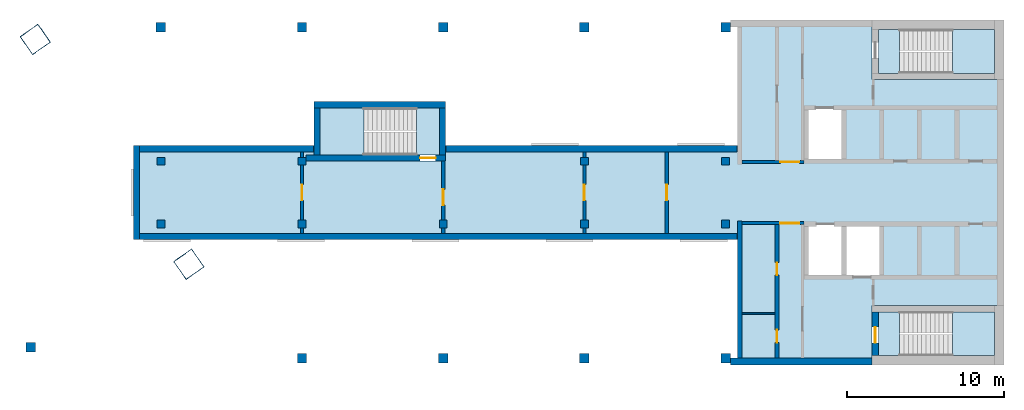
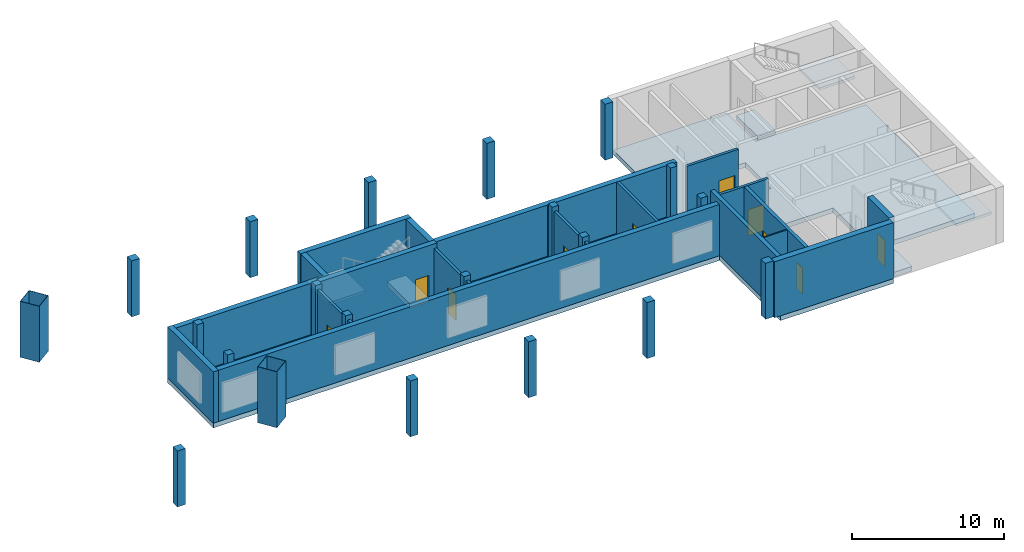
# One storey, part 1 of 4: 21 columns, 19 walls, 10 doors, 7 slabs, 10 openings, 3 elements without a shape of their own.
"""IFC4 building model written with IfcOpenShell, lengths in metres."""

from ifc_helpers import new_model, si_unit, direction, frame, frame_2d, origin, origin_2d, place, context, subcontext, project, spatial, polyline, rectangle, hollow_rectangle, outline, extrude, material, layer, layer_set, material_profile, profile_set, type_object, element, fill, aggregate, save


model = new_model("IFC4")

# Units and contexts
model_context = context("Model", 3, precision=1e-05, world=origin(), true_north=direction((0.0, 1.0)))
body_context = subcontext(model_context, "Body", "Model", "MODEL_VIEW")
ifc_project = project(units=[si_unit("LENGTHUNIT", "METRE"), si_unit("AREAUNIT", "SQUARE_METRE"), si_unit("VOLUMEUNIT", "CUBIC_METRE"), si_unit("PLANEANGLEUNIT", "RADIAN"), si_unit("MASSUNIT", "GRAM", prefix="KILO")], contexts=[model_context])

# Site, building, storey
site_placement = place(None, origin())
site = spatial("IfcSite", under=ifc_project, at=site_placement, CompositionType="ELEMENT")
building_placement = place(site_placement, origin())
building = spatial("IfcBuilding", under=site, at=building_placement, Name="Skarvind Civic Tower", CompositionType="ELEMENT")
storey_placement = place(building_placement, frame((0.0, 0.0, 286.5)))
storey = spatial("IfcBuildingStorey", under=building, at=storey_placement, Name="L68", CompositionType="ELEMENT", Elevation=286.5)

# Columns
ifc_material_1 = material(Name="Concrete C60", Category="concrete")
ifc_material_profile_1 = material_profile(ifc_material_1, rectangle(XDim=0.5, YDim=0.5, at=origin_2d()), Name="RC-500x500")
ifc_profile_set_1 = profile_set([ifc_material_profile_1], Name="Concrete C60")
column_type_1 = type_object("IfcColumnType", Name="Column RC-500x500 C60", PredefinedType="COLUMN", material=ifc_profile_set_1)
for number, where, z_axis, x_axis, name in (
    (1, (54.25, 130.0, 0.0), (0.0, 0.0, 1.0), (1.0, 0.0, 0.0), "Column wing 1 north inner 02 L68"),
    (2, (63.25, 130.0, 0.0), (0.0, 0.0, 1.0), (1.0, 0.0, 0.0), "Column wing 1 north inner 03 L68"),
    (3, (81.25, 130.0, 0.0), (0.0, 0.0, 1.0), (1.0, 0.0, 0.0), "Column wing 1 north inner 05 L68"),
    (4, (90.25, 130.0, 0.0), (0.0, 0.0, 1.0), (1.0, 0.0, 0.0), "Column wing 1 north inner 06 L68"),
    (5, (54.25, 126.0, 0.0), (0.0, 0.0, 1.0), (1.0, 0.0, 0.0), "Column wing 1 south inner 02 L68"),
    (6, (63.25, 126.0, 0.0), (0.0, 0.0, 1.0), (1.0, 0.0, 0.0), "Column wing 1 south inner 03 L68"),
    (7, (72.25, 126.0, 0.0), (0.0, 0.0, 1.0), (1.0, 0.0, 0.0), "Column wing 1 south inner 04 L68"),
    (8, (81.25, 126.0, 0.0), (0.0, 0.0, 1.0), (1.0, 0.0, 0.0), "Column wing 1 south inner 05 L68"),
    (9, (90.25, 126.0, 0.0), (0.0, 0.0, 1.0), (1.0, 0.0, 0.0), "Column wing 1 south inner 06 L68"),
):
    element("IfcColumn", number, at=place(storey_placement, frame(where, z_axis=z_axis, x_axis=x_axis)), inside=storey, type_object=column_type_1, Name=name, PredefinedType="COLUMN", context=body_context, shape_type="SweptSolid", body=[
        extrude(rectangle(XDim=0.5, YDim=0.5, at=origin_2d()), origin(), (0.0, 0.0, 1.0), 4.5),
    ])
ifc_material_profile_2 = material_profile(ifc_material_1, rectangle(XDim=0.60009765625, YDim=0.60009765625, at=origin_2d()), Name="RC-600x600")
ifc_profile_set_2 = profile_set([ifc_material_profile_2], Name="Concrete C60")
column_type_2 = type_object("IfcColumnType", Name="Column RC-600x600 C60", PredefinedType="COLUMN", material=ifc_profile_set_2)
for number, where, z_axis, x_axis, name in (
    (10, (54.25, 138.550048828125, 0.0), (0.0, 0.0, 1.0), (1.0, 0.0, 0.0), "Column wing 1 north perimeter 02 L68"),
    (11, (63.25, 138.550048828125, 0.0), (0.0, 0.0, 1.0), (1.0, 0.0, 0.0), "Column wing 1 north perimeter 03 L68"),
    (12, (72.25, 138.550048828125, 0.0), (0.0, 0.0, 1.0), (1.0, 0.0, 0.0), "Column wing 1 north perimeter 04 L68"),
    (13, (81.25, 138.550048828125, 0.0), (0.0, 0.0, 1.0), (1.0, 0.0, 0.0), "Column wing 1 north perimeter 05 L68"),
    (14, (90.25, 138.550048828125, 0.0), (0.0, 0.0, 1.0), (1.0, 0.0, 0.0), "Column wing 1 north perimeter 06 L68"),
    (15, (45.95166015625, 118.151611328125, 0.0), (0.0, 0.0, 1.0), (1.0, 0.0, 0.0), "Column wing 1 south perimeter 01 L68"),
    (16, (63.25, 117.449951171875, 0.0), (0.0, 0.0, 1.0), (1.0, 0.0, 0.0), "Column wing 1 south perimeter 03 L68"),
    (17, (72.25, 117.449951171875, 0.0), (0.0, 0.0, 1.0), (1.0, 0.0, 0.0), "Column wing 1 south perimeter 04 L68"),
    (18, (81.25, 117.449951171875, 0.0), (0.0, 0.0, 1.0), (1.0, 0.0, 0.0), "Column wing 1 south perimeter 05 L68"),
    (19, (90.25, 117.449951171875, 0.0), (0.0, 0.0, 1.0), (1.0, 0.0, 0.0), "Column wing 1 south perimeter 06 L68"),
):
    element("IfcColumn", number, at=place(storey_placement, frame(where, z_axis=z_axis, x_axis=x_axis)), inside=storey, type_object=column_type_2, Name=name, PredefinedType="COLUMN", context=body_context, shape_type="SweptSolid", body=[
        extrude(rectangle(XDim=0.60009765625, YDim=0.60009765625, at=origin_2d()), origin(), (0.0, 0.0, 1.0), 4.5),
    ])
ifc_material_2 = material(Name="Composite concrete-filled steel tube, Steel SM355 with Concrete C60", Category="concrete")
ifc_material_profile_3 = material_profile(ifc_material_2, hollow_rectangle(XDim=1.39990234375, YDim=1.39990234375, WallThickness=0.02490234375, at=origin_2d()), Name="BOX-1400x1400x25")
ifc_profile_set_3 = profile_set([ifc_material_profile_3], Name="Composite concrete-filled steel tube, Steel SM355 with Concrete C60")
column_type_3 = type_object("IfcColumnType", Name="Mega column BOX-1400x1400x25 filled C60", PredefinedType="COLUMN", material=ifc_profile_set_3)
for number, where, z_axis, x_axis, name in (
    (20, (46.2470703125, 137.762451171875, 0.0), (0.0, 0.0, 1.0), (0.573576436351, -0.819152044289, 0.0), "Mega column 2 L68"),
    (21, (56.0361328125, 123.43017578125, 0.0), (0.0, 0.0, 1.0), (0.573576436351, -0.819152044289, 0.0), "Mega column 4 L68"),
):
    element("IfcColumn", number, at=place(storey_placement, frame(where, z_axis=z_axis, x_axis=x_axis)), inside=storey, type_object=column_type_3, Name=name, PredefinedType="COLUMN", context=body_context, shape_type="SweptSolid", body=[
        extrude(hollow_rectangle(XDim=1.39990234375, YDim=1.39990234375, WallThickness=0.02490234375, at=origin_2d()), origin(), (0.0, 0.0, 1.0), 4.5),
    ])

# Slabs
ifc_material_3 = material(Name="Concrete C50", Category="concrete")
ifc_layer_1 = layer(ifc_material_3, 0.375)
ifc_layer_set_1 = layer_set([ifc_layer_1], Name="Floor slab 375 C50")
slab_type_1 = type_object("IfcSlabType", Name="Floor slab 375 C50", PredefinedType="FLOOR", material=ifc_layer_set_1)
slab_1_placement = place(storey_placement, frame((0.0, 0.0, -0.375)))
element("IfcSlab", 22, at=slab_1_placement, inside=storey, type_object=slab_type_1, Name="Floor slab L68 1", PredefinedType="FLOOR", context=body_context, shape_type="SweptSolid", body=[
    extrude(outline(polyline([(99.60009765625, 117.0), (99.60009765625, 120.800048828125), (108.0, 120.800048828125), (108.0, 135.199951171875), (99.60009765625, 135.199951171875), (99.60009765625, 139.0), (91.0, 139.0), (91.0, 131.0), (72.39990234375, 131.0), (72.39990234375, 130.0), (64.0, 130.0), (64.0, 131.0), (52.5, 131.0), (52.5, 125.0), (91.0, 125.0), (91.0, 117.0), (99.60009765625, 117.0)]), holes=[polyline([(97.800048828125, 126.0), (100.199951171875, 126.0), (100.199951171875, 122.60009765625), (97.800048828125, 122.60009765625), (95.39990234375, 122.60009765625), (95.39990234375, 126.0), (97.800048828125, 126.0)]), polyline([(95.39990234375, 130.0), (95.39990234375, 133.39990234375), (97.800048828125, 133.39990234375), (97.800048828125, 130.0), (95.39990234375, 130.0)])]), origin(), (0.0, 0.0, 1.0), 0.375),
])
ifc_material_4 = material(Name="Concrete C40/50", Category="concrete")
ifc_layer_2 = layer(ifc_material_4, 0.375)
ifc_layer_set_2 = layer_set([ifc_layer_2], Name="Stair floor landing slab 375")
slab_type_2 = type_object("IfcSlabType", Name="Stair floor landing slab 375", PredefinedType="LANDING", material=ifc_layer_set_2)
slab_2_placement = place(storey_placement, frame((0.0, 0.0, -0.375)))
element("IfcSlab", 23, at=slab_2_placement, inside=storey, type_object=slab_type_2, Name="Stair floor landing", PredefinedType="LANDING", context=body_context, shape_type="SweptSolid", body=[
    extrude(outline(polyline([(101.3505859375, 138.400634765625), (101.3505859375, 135.599365234375), (99.99951171875, 135.599365234375), (99.99951171875, 138.400634765625), (101.3505859375, 138.400634765625)])), origin(), (0.0, 0.0, 1.0), 0.375),
])
slab_3_placement = place(storey_placement, frame((0.0, 0.0, -0.375)))
element("IfcSlab", 24, at=slab_3_placement, inside=storey, type_object=slab_type_2, Name="Stair floor landing", PredefinedType="LANDING", context=body_context, shape_type="SweptSolid", body=[
    extrude(outline(polyline([(101.3505859375, 120.400634765625), (101.3505859375, 117.599365234375), (99.99951171875, 117.599365234375), (99.99951171875, 120.400634765625), (101.3505859375, 120.400634765625)])), origin(), (0.0, 0.0, 1.0), 0.375),
])
slab_4_placement = place(storey_placement, frame((0.0, 0.0, -0.375)))
element("IfcSlab", 25, at=slab_4_placement, inside=storey, type_object=slab_type_2, Name="Stair floor landing", PredefinedType="LANDING", context=body_context, shape_type="SweptSolid", body=[
    extrude(outline(polyline([(70.54931640625, 130.3994140625), (70.54931640625, 133.400634765625), (72.00048828125, 133.400634765625), (72.00048828125, 130.3994140625), (70.54931640625, 130.3994140625)])), origin(), (0.0, 0.0, 1.0), 0.375),
])

# Stair, slab
stair_type_1 = type_object("IfcStairType", Name="Exit stair, half-turn, concrete", PredefinedType="HALF_TURN_STAIR", material=ifc_material_4)
stair_1_placement = place(storey_placement, origin())
stair_1 = element("IfcStair", 26, at=stair_1_placement, inside=storey, type_object=stair_type_1, Name="Exit stair C1S", PredefinedType="HALF_TURN_STAIR")
ifc_layer_3 = layer(ifc_material_4, 0.199951171875)
ifc_layer_set_3 = layer_set([ifc_layer_3], Name="Stair half landing slab")
slab_type_3 = type_object("IfcSlabType", Name="Stair half landing slab", PredefinedType="LANDING", material=ifc_layer_set_3)
slab_5_placement = place(storey_placement, frame((0.0, 0.0, 2.050048828125)))
slab_5 = element("IfcSlab", 27, at=slab_5_placement, type_object=slab_type_3, Name="ST-C1S landing 1", PredefinedType="LANDING", context=body_context, shape_type="SweptSolid", body=[
    extrude(outline(polyline([(104.70947265625, 135.599365234375), (104.70947265625, 138.400634765625), (107.400634765625, 138.400634765625), (107.400634765625, 135.599365234375), (104.70947265625, 135.599365234375)])), origin(), (0.0, 0.0, 1.0), 0.199951171875),
])
aggregate(stair_1, [slab_5])

stair_2_placement = place(storey_placement, origin())
stair_2 = element("IfcStair", 28, at=stair_2_placement, inside=storey, type_object=stair_type_1, Name="Exit stair C1N", PredefinedType="HALF_TURN_STAIR")
slab_6_placement = place(storey_placement, frame((0.0, 0.0, 2.050048828125)))
slab_6 = element("IfcSlab", 29, at=slab_6_placement, type_object=slab_type_3, Name="ST-C1N landing 1", PredefinedType="LANDING", context=body_context, shape_type="SweptSolid", body=[
    extrude(outline(polyline([(104.70947265625, 117.599365234375), (104.70947265625, 120.400634765625), (107.400634765625, 120.400634765625), (107.400634765625, 117.599365234375), (104.70947265625, 117.599365234375)])), origin(), (0.0, 0.0, 1.0), 0.199951171875),
])
aggregate(stair_2, [slab_6])

stair_type_2 = type_object("IfcStairType", Name="Exit stair 1450, half-turn, concrete", PredefinedType="HALF_TURN_STAIR", material=ifc_material_4)
stair_3_placement = place(storey_placement, origin())
stair_3 = element("IfcStair", 30, at=stair_3_placement, inside=storey, type_object=stair_type_2, Name="Exit stair CM", PredefinedType="HALF_TURN_STAIR")
slab_7_placement = place(storey_placement, frame((0.0, 0.0, 2.050048828125)))
slab_7 = element("IfcSlab", 31, at=slab_7_placement, type_object=slab_type_3, Name="ST-CM landing 1", PredefinedType="LANDING", context=body_context, shape_type="SweptSolid", body=[
    extrude(outline(polyline([(67.190673828125, 133.400634765625), (67.190673828125, 130.3994140625), (64.3994140625, 130.3994140625), (64.3994140625, 133.400634765625), (67.190673828125, 133.400634765625)])), origin(), (0.0, 0.0, 1.0), 0.199951171875),
])
aggregate(stair_3, [slab_7])

# Wall, opening, door
ifc_material_5 = material(Name="Fire-rated masonry partition", Category="masonry")
ifc_layer_4 = layer(ifc_material_5, 0.199951171875)
ifc_layer_set_4 = layer_set([ifc_layer_4], Name="Core enclosure wall 200")
wall_type_1 = type_object("IfcWallType", Name="Core enclosure wall 200", PredefinedType="PARTITIONING", material=ifc_layer_set_4)
wall_1_placement = place(storey_placement, frame((95.25, 126.050048828125, 0.0), z_axis=(0.0, 0.0, 1.0), x_axis=(-1.0, 0.0, 0.0)))
wall_1 = element("IfcWall", 32, at=wall_1_placement, inside=storey, type_object=wall_type_1, Name="Core wall C1", PredefinedType="PARTITIONING", context=body_context, shape_type="SweptSolid", body=[
    extrude(rectangle(XDim=3.949951171875, YDim=0.199951171875, at=frame_2d((1.97509765625, 0.0))), origin(), (0.0, 0.0, 1.0), 4.125),
])
opening_1_placement = place(wall_1_placement, frame((0.300048828125, 0.0, 0.0)))
opening_1 = element("IfcOpeningElement", 33, at=opening_1_placement, cuts=wall_1, Name="Opening D-L68-C1-05", PredefinedType="OPENING", context=body_context, shape_type="SweptSolid", body=[
    extrude(rectangle(XDim=1.199951171875, YDim=2.10009765625, at=frame_2d((0.60009765625, 1.050048828125))), frame((0.0, 0.10986328125, 0.0), z_axis=(0.0, -1.0, 0.0), x_axis=(1.0, 0.0, 0.0)), (0.0, 0.0, 1.0), 0.219970703125),
])
ifc_material_6 = material(Name="Fire-rated steel door", Category="steel")
door_type_1 = type_object("IfcDoorType", Name="Core lobby door 1200", OperationType="NOTDEFINED", PredefinedType="DOOR", material=ifc_material_6)
door_1_placement = place(opening_1_placement, origin())
door_1 = element("IfcDoor", 34, at=door_1_placement, inside=storey, type_object=door_type_1, Name="Fire door", OperationType="DOUBLE_DOOR_SINGLE_SWING", OverallHeight=2.10009765625, OverallWidth=1.199951171875, PredefinedType="DOOR", context=body_context, shape_type="SweptSolid", body=[
    extrude(rectangle(XDim=1.199951171875, YDim=2.10009765625, at=frame_2d((0.60009765625, 1.050048828125))), frame((0.0, 0.02490234375, 0.0), z_axis=(0.0, -1.0, 0.0), x_axis=(1.0, 0.0, 0.0)), (0.0, 0.0, 1.0), 0.050048828125),
])
fill(opening_1, door_1)

wall_2_placement = place(storey_placement, frame((91.300048828125, 129.949951171875, 0.0), z_axis=(0.0, 0.0, 1.0), x_axis=(1.0, 0.0, 0.0)))
wall_2 = element("IfcWall", 35, at=wall_2_placement, inside=storey, type_object=wall_type_1, Name="Core wall C1", PredefinedType="PARTITIONING", context=body_context, shape_type="SweptSolid", body=[
    extrude(rectangle(XDim=3.949951171875, YDim=0.199951171875, at=frame_2d((1.97509765625, 0.0))), origin(), (0.0, 0.0, 1.0), 4.125),
])
opening_2_placement = place(wall_2_placement, frame((2.449951171875, 0.0, 0.0)))
opening_2 = element("IfcOpeningElement", 36, at=opening_2_placement, cuts=wall_2, Name="Opening D-L68-C1-11", PredefinedType="OPENING", context=body_context, shape_type="SweptSolid", body=[
    extrude(rectangle(XDim=1.199951171875, YDim=2.10009765625, at=frame_2d((0.60009765625, 1.050048828125))), frame((0.0, 0.10986328125, 0.0), z_axis=(0.0, -1.0, 0.0), x_axis=(1.0, 0.0, 0.0)), (0.0, 0.0, 1.0), 0.219970703125),
])
door_2_placement = place(opening_2_placement, origin())
door_2 = element("IfcDoor", 37, at=door_2_placement, inside=storey, type_object=door_type_1, Name="Fire door", OperationType="DOUBLE_DOOR_SINGLE_SWING", OverallHeight=2.10009765625, OverallWidth=1.199951171875, PredefinedType="DOOR", context=body_context, shape_type="SweptSolid", body=[
    extrude(rectangle(XDim=1.199951171875, YDim=2.10009765625, at=frame_2d((0.60009765625, 1.050048828125))), frame((0.0, 0.02490234375, 0.0), z_axis=(0.0, -1.0, 0.0), x_axis=(1.0, 0.0, 0.0)), (0.0, 0.0, 1.0), 0.050048828125),
])
fill(opening_2, door_2)

# Walls
ifc_material_7 = material(Name="Fire-rated plasterboard partition")
ifc_layer_5 = layer(ifc_material_7, 0.10009765625)
ifc_layer_set_5 = layer_set([ifc_layer_5], Name="Core partition wall 100")
wall_type_2 = type_object("IfcWallType", Name="Core partition wall 100", PredefinedType="PARTITIONING", material=ifc_layer_set_5)
wall_3_placement = place(storey_placement, frame((93.39990234375, 120.280029296875, 0.0), z_axis=(0.0, 0.0, 1.0), x_axis=(-1.0, 0.0, 0.0)))
element("IfcWall", 38, at=wall_3_placement, inside=storey, type_object=wall_type_2, Name="Core wall C1", PredefinedType="PARTITIONING", context=body_context, shape_type="SweptSolid", body=[
    extrude(rectangle(XDim=2.099853515625, YDim=0.10009765625, at=frame_2d((1.0498046875, 0.0))), origin(), (0.0, 0.0, 1.0), 4.125),
])
ifc_layer_6 = layer(ifc_material_1, 0.300048828125)
ifc_layer_set_6 = layer_set([ifc_layer_6], Name="Core wall 300 C60")
wall_type_3 = type_object("IfcWallType", Name="Core wall 300 C60", PredefinedType="SHEAR", material=ifc_layer_set_6)
wall_4_placement = place(storey_placement, frame((91.14990234375, 126.199951171875, 0.0), z_axis=(0.0, 0.0, 1.0), x_axis=(0.0, -1.0, 0.0)))
element("IfcWall", 39, at=wall_4_placement, inside=storey, type_object=wall_type_3, Name="Core wall C1 north inner face L68", PredefinedType="SHEAR", context=body_context, shape_type="SweptSolid", body=[
    extrude(rectangle(XDim=8.75, YDim=0.300048828125, at=frame_2d((4.375, 0.0))), origin(), (0.0, 0.0, 1.0), 4.5),
])

# Wall, opening, door
ifc_layer_7 = layer(ifc_material_1, 0.39990234375)
ifc_layer_set_7 = layer_set([ifc_layer_7], Name="Core wall 400 C60")
wall_type_4 = type_object("IfcWallType", Name="Core wall 400 C60", PredefinedType="SHEAR", material=ifc_layer_set_7)
wall_5_placement = place(storey_placement, frame((99.800048828125, 120.39990234375, 0.0), z_axis=(0.0, 0.0, 1.0), x_axis=(0.0, -1.0, 0.0)))
wall_5 = element("IfcWall", 40, at=wall_5_placement, inside=storey, type_object=wall_type_4, Name="Core wall C1 north stair end L68", PredefinedType="SHEAR", context=body_context, shape_type="SweptSolid", body=[
    extrude(rectangle(XDim=2.7998046875, YDim=0.39990234375, at=frame_2d((1.39990234375, 0.0))), origin(), (0.0, 0.0, 1.0), 4.5),
])
opening_3_placement = place(wall_5_placement, frame((0.97509765625, 0.0, 0.0)))
opening_3 = element("IfcOpeningElement", 41, at=opening_3_placement, cuts=wall_5, Name="Opening D-L68-C1-07", PredefinedType="OPENING", context=body_context, shape_type="SweptSolid", body=[
    extrude(rectangle(XDim=1.0, YDim=2.10009765625, at=frame_2d((0.5, 1.050048828125))), frame((0.0, 0.2099609375, 0.0), z_axis=(0.0, -1.0, 0.0), x_axis=(1.0, 0.0, 0.0)), (0.0, 0.0, 1.0), 0.419921875),
])
door_type_2 = type_object("IfcDoorType", Name="Fire door 1000", OperationType="NOTDEFINED", PredefinedType="DOOR", material=ifc_material_6)
door_3_placement = place(opening_3_placement, origin())
door_3 = element("IfcDoor", 42, at=door_3_placement, inside=storey, type_object=door_type_2, Name="Fire door", OperationType="SINGLE_SWING_LEFT", OverallHeight=2.10009765625, OverallWidth=1.0, PredefinedType="DOOR", context=body_context, shape_type="SweptSolid", body=[
    extrude(rectangle(XDim=1.0, YDim=2.10009765625, at=frame_2d((0.5, 1.050048828125))), frame((0.0, 0.02490234375, 0.0), z_axis=(0.0, -1.0, 0.0), x_axis=(1.0, 0.0, 0.0)), (0.0, 0.0, 1.0), 0.050048828125),
])
fill(opening_3, door_3)

wall_6_placement = place(storey_placement, frame((63.5, 130.199951171875, 0.0), z_axis=(0.0, 0.0, 1.0), x_axis=(1.0, 0.0, 0.0)))
wall_6 = element("IfcWall", 43, at=wall_6_placement, inside=storey, type_object=wall_type_4, Name="Core wall CM inner L68", PredefinedType="SHEAR", context=body_context, shape_type="SweptSolid", body=[
    extrude(rectangle(XDim=8.89990234375, YDim=0.39990234375, at=frame_2d((4.449951171875, 0.0))), origin(), (0.0, 0.0, 1.0), 4.5),
])
opening_4_placement = place(wall_6_placement, frame((7.27490234375, 0.0, 0.0)))
opening_4 = element("IfcOpeningElement", 44, at=opening_4_placement, cuts=wall_6, Name="Opening D-L68-CM-01", PredefinedType="OPENING", context=body_context, shape_type="SweptSolid", body=[
    extrude(rectangle(XDim=1.0, YDim=2.10009765625, at=frame_2d((0.5, 1.050048828125))), frame((0.0, 0.2099609375, 0.0), z_axis=(0.0, -1.0, 0.0), x_axis=(1.0, 0.0, 0.0)), (0.0, 0.0, 1.0), 0.419921875),
])
door_4_placement = place(opening_4_placement, origin())
door_4 = element("IfcDoor", 45, at=door_4_placement, inside=storey, type_object=door_type_2, Name="Fire door", OperationType="SINGLE_SWING_LEFT", OverallHeight=2.10009765625, OverallWidth=1.0, PredefinedType="DOOR", context=body_context, shape_type="SweptSolid", body=[
    extrude(rectangle(XDim=1.0, YDim=2.10009765625, at=frame_2d((0.5, 1.050048828125))), frame((0.0, 0.02490234375, 0.0), z_axis=(0.0, -1.0, 0.0), x_axis=(1.0, 0.0, 0.0)), (0.0, 0.0, 1.0), 0.050048828125),
])
fill(opening_4, door_4)

# Walls
wall_7_placement = place(storey_placement, frame((64.0, 133.60009765625, 0.0), z_axis=(0.0, 0.0, 1.0), x_axis=(1.0, 0.0, 0.0)))
element("IfcWall", 46, at=wall_7_placement, inside=storey, type_object=wall_type_4, Name="Core wall CM outer L68", PredefinedType="SHEAR", context=body_context, shape_type="SweptSolid", body=[
    extrude(rectangle(XDim=8.39990234375, YDim=0.39990234375, at=frame_2d((4.199951171875, 0.0))), origin(), (0.0, 0.0, 1.0), 4.5),
])
for number, where, z_axis, x_axis, name in (
    (47, (64.199951171875, 130.39990234375, 0.0), (0.0, 0.0, 1.0), (0.0, 1.0, 0.0), "Core wall CM west L68"),
    (48, (72.199951171875, 130.39990234375, 0.0), (0.0, 0.0, 1.0), (0.0, 1.0, 0.0), "Core wall CM end L68"),
):
    element("IfcWall", number, at=place(storey_placement, frame(where, z_axis=z_axis, x_axis=x_axis)), inside=storey, type_object=wall_type_4, Name=name, PredefinedType="SHEAR", context=body_context, shape_type="SweptSolid", body=[
        extrude(rectangle(XDim=3.0, YDim=0.39990234375, at=frame_2d((1.5, 0.0))), origin(), (0.0, 0.0, 1.0), 4.5),
    ])
ifc_layer_8 = layer(ifc_material_1, 0.449951171875)
ifc_layer_set_8 = layer_set([ifc_layer_8], Name="Core wall 450 C60")
wall_type_5 = type_object("IfcWallType", Name="Core wall 450 C60", PredefinedType="SHEAR", material=ifc_layer_set_8)
wall_8_placement = place(storey_placement, frame((99.60009765625, 117.22509765625, 0.0), z_axis=(0.0, 0.0, 1.0), x_axis=(-1.0, 0.0, 0.0)))
element("IfcWall", 49, at=wall_8_placement, inside=storey, type_object=wall_type_5, Name="Core wall C1 north side L68", PredefinedType="SHEAR", context=body_context, shape_type="SweptSolid", body=[
    extrude(rectangle(XDim=9.050048828125, YDim=0.449951171875, at=frame_2d((4.52490234375, 0.0))), origin(), (0.0, 0.0, 1.0), 4.5),
])

# Wall, opening, door
ifc_material_8 = material(Name="Fire-rated blockwork wall, plastered", Category="masonry")
ifc_layer_9 = layer(ifc_material_8, 0.199951171875)
ifc_layer_set_9 = layer_set([ifc_layer_9], Name="FIRE WALL 200 EI 120")
wall_type_6 = type_object("IfcWallType", Name="FIRE WALL 200 EI 120", PredefinedType="PARTITIONING", material=ifc_layer_set_9)
wall_9_placement = place(storey_placement, frame((63.25, 130.60009765625, 0.0), z_axis=(0.0, 0.0, 1.0), x_axis=(0.0, -1.0, 0.0)))
wall_9 = element("IfcWall", 50, at=wall_9_placement, inside=storey, type_object=wall_type_6, Name="Crown partition L68 001", PredefinedType="PARTITIONING", context=body_context, shape_type="SweptSolid", body=[
    extrude(rectangle(XDim=5.2001953125, YDim=0.199951171875, at=frame_2d((2.60009765625, 0.0))), origin(), (0.0, 0.0, 1.0), 4.125),
])
opening_5_placement = place(wall_9_placement, frame((2.10009765625, 0.0, 0.0)))
opening_5 = element("IfcOpeningElement", 51, at=opening_5_placement, cuts=wall_9, Name="Opening L68-D201", PredefinedType="OPENING", context=body_context, shape_type="SweptSolid", body=[
    extrude(rectangle(XDim=1.0, YDim=2.10009765625, at=frame_2d((0.5, 1.050048828125))), frame((0.0, 0.10986328125, 0.0), z_axis=(0.0, -1.0, 0.0), x_axis=(1.0, 0.0, 0.0)), (0.0, 0.0, 1.0), 0.219970703125),
])
ifc_material_9 = material(Name="Painted steel fire door leaf", Category="steel")
door_type_3 = type_object("IfcDoorType", Name="FIRE DOOR 1000X2100 STEEL", OperationType="NOTDEFINED", PredefinedType="DOOR", material=ifc_material_9)
door_5_placement = place(opening_5_placement, origin())
door_5 = element("IfcDoor", 52, at=door_5_placement, inside=storey, type_object=door_type_3, Name="FIRE DOOR", OperationType="SINGLE_SWING_RIGHT", OverallHeight=2.10009765625, OverallWidth=1.0, PredefinedType="DOOR", context=body_context, shape_type="SweptSolid", body=[
    extrude(rectangle(XDim=1.0, YDim=2.10009765625, at=frame_2d((0.5, 1.050048828125))), frame((0.0, 0.02490234375, 0.0), z_axis=(0.0, -1.0, 0.0), x_axis=(1.0, 0.0, 0.0)), (0.0, 0.0, 1.0), 0.050048828125),
])
fill(opening_5, door_5)

ifc_layer_10 = layer(ifc_material_8, 0.199951171875)
ifc_layer_set_10 = layer_set([ifc_layer_10], Name="FIRE WALL 200 EI 60")
wall_type_7 = type_object("IfcWallType", Name="FIRE WALL 200 EI 60", PredefinedType="PARTITIONING", material=ifc_layer_set_10)
wall_10_placement = place(storey_placement, frame((72.25, 130.0, 0.0), z_axis=(0.0, 0.0, 1.0), x_axis=(0.0, -1.0, 0.0)))
wall_10 = element("IfcWall", 53, at=wall_10_placement, inside=storey, type_object=wall_type_7, Name="Crown partition L68 002", PredefinedType="PARTITIONING", context=body_context, shape_type="SweptSolid", body=[
    extrude(rectangle(XDim=4.6201171875, YDim=0.199951171875, at=frame_2d((2.31005859375, 0.0))), origin(), (0.0, 0.0, 1.0), 4.125),
])
opening_6_placement = place(wall_10_placement, frame((1.800048828125, 0.0, 0.0)))
opening_6 = element("IfcOpeningElement", 54, at=opening_6_placement, cuts=wall_10, Name="Opening L68-D202", PredefinedType="OPENING", context=body_context, shape_type="SweptSolid", body=[
    extrude(rectangle(XDim=1.0, YDim=2.10009765625, at=frame_2d((0.5, 1.050048828125))), frame((0.0, 0.10986328125, 0.0), z_axis=(0.0, -1.0, 0.0), x_axis=(1.0, 0.0, 0.0)), (0.0, 0.0, 1.0), 0.219970703125),
])
door_6_placement = place(opening_6_placement, origin())
door_6 = element("IfcDoor", 55, at=door_6_placement, inside=storey, type_object=door_type_3, Name="FIRE DOOR", OperationType="SINGLE_SWING_LEFT", OverallHeight=2.10009765625, OverallWidth=1.0, PredefinedType="DOOR", context=body_context, shape_type="SweptSolid", body=[
    extrude(rectangle(XDim=1.0, YDim=2.10009765625, at=frame_2d((0.5, 1.050048828125))), frame((0.0, 0.02490234375, 0.0), z_axis=(0.0, -1.0, 0.0), x_axis=(1.0, 0.0, 0.0)), (0.0, 0.0, 1.0), 0.050048828125),
])
fill(opening_6, door_6)

wall_11_placement = place(storey_placement, frame((81.25, 130.60009765625, 0.0), z_axis=(0.0, 0.0, 1.0), x_axis=(0.0, -1.0, 0.0)))
wall_11 = element("IfcWall", 56, at=wall_11_placement, inside=storey, type_object=wall_type_7, Name="Crown partition L68 003", PredefinedType="PARTITIONING", context=body_context, shape_type="SweptSolid", body=[
    extrude(rectangle(XDim=5.2001953125, YDim=0.199951171875, at=frame_2d((2.60009765625, 0.0))), origin(), (0.0, 0.0, 1.0), 4.125),
])
opening_7_placement = place(wall_11_placement, frame((2.10009765625, 0.0, 0.0)))
opening_7 = element("IfcOpeningElement", 57, at=opening_7_placement, cuts=wall_11, Name="Opening L68-D203", PredefinedType="OPENING", context=body_context, shape_type="SweptSolid", body=[
    extrude(rectangle(XDim=1.0, YDim=2.10009765625, at=frame_2d((0.5, 1.050048828125))), frame((0.0, 0.10986328125, 0.0), z_axis=(0.0, -1.0, 0.0), x_axis=(1.0, 0.0, 0.0)), (0.0, 0.0, 1.0), 0.219970703125),
])
door_7_placement = place(opening_7_placement, origin())
door_7 = element("IfcDoor", 58, at=door_7_placement, inside=storey, type_object=door_type_3, Name="FIRE DOOR", OperationType="SINGLE_SWING_RIGHT", OverallHeight=2.10009765625, OverallWidth=1.0, PredefinedType="DOOR", context=body_context, shape_type="SweptSolid", body=[
    extrude(rectangle(XDim=1.0, YDim=2.10009765625, at=frame_2d((0.5, 1.050048828125))), frame((0.0, 0.02490234375, 0.0), z_axis=(0.0, -1.0, 0.0), x_axis=(1.0, 0.0, 0.0)), (0.0, 0.0, 1.0), 0.050048828125),
])
fill(opening_7, door_7)

wall_12_placement = place(storey_placement, frame((86.5, 125.39990234375, 0.0), z_axis=(0.0, 0.0, 1.0), x_axis=(0.0, 1.0, 0.0)))
wall_12 = element("IfcWall", 59, at=wall_12_placement, inside=storey, type_object=wall_type_7, Name="Crown partition L68 004", PredefinedType="PARTITIONING", context=body_context, shape_type="SweptSolid", body=[
    extrude(rectangle(XDim=5.2001953125, YDim=0.199951171875, at=frame_2d((2.60009765625, 0.0))), origin(), (0.0, 0.0, 1.0), 4.125),
])
opening_8_placement = place(wall_12_placement, frame((2.10009765625, 0.0, 0.0)))
opening_8 = element("IfcOpeningElement", 60, at=opening_8_placement, cuts=wall_12, Name="Opening L68-D204", PredefinedType="OPENING", context=body_context, shape_type="SweptSolid", body=[
    extrude(rectangle(XDim=1.0, YDim=2.10009765625, at=frame_2d((0.5, 1.050048828125))), frame((0.0, 0.10986328125, 0.0), z_axis=(0.0, -1.0, 0.0), x_axis=(1.0, 0.0, 0.0)), (0.0, 0.0, 1.0), 0.219970703125),
])
door_8_placement = place(opening_8_placement, origin())
door_8 = element("IfcDoor", 61, at=door_8_placement, inside=storey, type_object=door_type_3, Name="FIRE DOOR", OperationType="SINGLE_SWING_LEFT", OverallHeight=2.10009765625, OverallWidth=1.0, PredefinedType="DOOR", context=body_context, shape_type="SweptSolid", body=[
    extrude(rectangle(XDim=1.0, YDim=2.10009765625, at=frame_2d((0.5, 1.050048828125))), frame((0.0, 0.02490234375, 0.0), z_axis=(0.0, -1.0, 0.0), x_axis=(1.0, 0.0, 0.0)), (0.0, 0.0, 1.0), 0.050048828125),
])
fill(opening_8, door_8)

# Wall, openings, doors
ifc_layer_11 = layer(ifc_material_5, 0.25)
ifc_layer_set_11 = layer_set([ifc_layer_11], Name="Service block wall 250")
wall_type_8 = type_object("IfcWallType", Name="Service block wall 250", PredefinedType="PARTITIONING", material=ifc_layer_set_11)
wall_13_placement = place(storey_placement, frame((93.52490234375, 117.449951171875, 0.0), z_axis=(0.0, 0.0, 1.0), x_axis=(0.0, 1.0, 0.0)))
wall_13 = element("IfcWall", 62, at=wall_13_placement, inside=storey, type_object=wall_type_8, Name="Core wall C1", PredefinedType="PARTITIONING", context=body_context, shape_type="SweptSolid", body=[
    extrude(rectangle(XDim=8.5, YDim=0.25, at=frame_2d((4.25, 0.0))), origin(), (0.0, 0.0, 1.0), 4.125),
])
opening_9_placement = place(wall_13_placement, frame((5.2900390625, 0.0, 0.0)))
opening_9 = element("IfcOpeningElement", 63, at=opening_9_placement, cuts=wall_13, Name="Opening D-L68-C1-09", PredefinedType="OPENING", context=body_context, shape_type="SweptSolid", body=[
    extrude(rectangle(XDim=0.800048828125, YDim=2.10009765625, at=frame_2d((0.39990234375, 1.050048828125))), frame((0.0, 0.135009765625, 0.0), z_axis=(0.0, -1.0, 0.0), x_axis=(1.0, 0.0, 0.0)), (0.0, 0.0, 1.0), 0.27001953125),
])
opening_10_placement = place(wall_13_placement, frame((0.989990234375, 0.0, 0.0)))
opening_10 = element("IfcOpeningElement", 64, at=opening_10_placement, cuts=wall_13, Name="Opening D-L68-C1-10", PredefinedType="OPENING", context=body_context, shape_type="SweptSolid", body=[
    extrude(rectangle(XDim=0.800048828125, YDim=2.10009765625, at=frame_2d((0.39990234375, 1.050048828125))), frame((0.0, 0.135009765625, 0.0), z_axis=(0.0, -1.0, 0.0), x_axis=(1.0, 0.0, 0.0)), (0.0, 0.0, 1.0), 0.27001953125),
])
door_type_4 = type_object("IfcDoorType", Name="Core riser door 800", OperationType="NOTDEFINED", PredefinedType="DOOR", material=ifc_material_6)
door_9_placement = place(opening_9_placement, origin())
door_9 = element("IfcDoor", 65, at=door_9_placement, inside=storey, type_object=door_type_4, Name="Riser door", OperationType="SINGLE_SWING_LEFT", OverallHeight=2.10009765625, OverallWidth=0.800048828125, PredefinedType="DOOR", context=body_context, shape_type="SweptSolid", body=[
    extrude(rectangle(XDim=0.800048828125, YDim=2.10009765625, at=frame_2d((0.39990234375, 1.050048828125))), frame((0.0, 0.02490234375, 0.0), z_axis=(0.0, -1.0, 0.0), x_axis=(1.0, 0.0, 0.0)), (0.0, 0.0, 1.0), 0.050048828125),
])
fill(opening_9, door_9)
door_10_placement = place(opening_10_placement, origin())
door_10 = element("IfcDoor", 66, at=door_10_placement, inside=storey, type_object=door_type_4, Name="Riser door", OperationType="SINGLE_SWING_RIGHT", OverallHeight=2.10009765625, OverallWidth=0.800048828125, PredefinedType="DOOR", context=body_context, shape_type="SweptSolid", body=[
    extrude(rectangle(XDim=0.800048828125, YDim=2.10009765625, at=frame_2d((0.39990234375, 1.050048828125))), frame((0.0, 0.02490234375, 0.0), z_axis=(0.0, -1.0, 0.0), x_axis=(1.0, 0.0, 0.0)), (0.0, 0.0, 1.0), 0.050048828125),
])
fill(opening_10, door_10)

# Walls
ifc_material_10 = material(Name="Copper cladding on insulated backing")
ifc_layer_12 = layer(ifc_material_10, 0.39990234375)
ifc_layer_set_12 = layer_set([ifc_layer_12], Name="WX5 COPPER-CLAD PLANT WALL 400")
wall_type_9 = type_object("IfcWallType", Name="WX5 COPPER-CLAD PLANT WALL 400", PredefinedType="SOLIDWALL", material=ifc_layer_set_12)
wall_14_placement = place(storey_placement, frame((52.5, 130.800048828125, 0.0), z_axis=(0.0, 0.0, 1.0), x_axis=(1.0, 0.0, 0.0)))
element("IfcWall", 67, at=wall_14_placement, inside=storey, type_object=wall_type_9, Name="COPPER-CLAD PLANT WALL", PredefinedType="SOLIDWALL", context=body_context, shape_type="SweptSolid", body=[
    extrude(rectangle(XDim=11.47998046875, YDim=0.39990234375, at=frame_2d((5.739990234375, 0.0))), origin(), (0.0, 0.0, 1.0), 4.125),
])
wall_15_placement = place(storey_placement, frame((52.699951171875, 125.0, 0.0), z_axis=(0.0, 0.0, 1.0), x_axis=(0.0, 1.0, 0.0)))
element("IfcWall", 68, at=wall_15_placement, inside=storey, type_object=wall_type_9, Name="COPPER-CLAD PLANT WALL", PredefinedType="SOLIDWALL", context=body_context, shape_type="SweptSolid", body=[
    extrude(rectangle(XDim=6.0, YDim=0.39990234375, at=frame_2d((3.0, 0.0))), origin(), (0.0, 0.0, 1.0), 4.125),
])
wall_16_placement = place(storey_placement, frame((90.97998046875, 125.199951171875, 0.0), z_axis=(0.0, 0.0, 1.0), x_axis=(-1.0, 0.0, 0.0)))
element("IfcWall", 69, at=wall_16_placement, inside=storey, type_object=wall_type_9, Name="COPPER-CLAD PLANT WALL", PredefinedType="SOLIDWALL", context=body_context, shape_type="SweptSolid", body=[
    extrude(rectangle(XDim=38.47998046875, YDim=0.39990234375, at=frame_2d((19.239990234375, 0.0))), origin(), (0.0, 0.0, 1.0), 4.125),
])
wall_17_placement = place(storey_placement, frame((72.419921875, 130.800048828125, 0.0), z_axis=(0.0, 0.0, 1.0), x_axis=(1.0, 0.0, 0.0)))
element("IfcWall", 70, at=wall_17_placement, inside=storey, type_object=wall_type_9, Name="COPPER-CLAD PLANT WALL", PredefinedType="SOLIDWALL", context=body_context, shape_type="SweptSolid", body=[
    extrude(rectangle(XDim=18.56005859375, YDim=0.39990234375, at=frame_2d((9.280029296875, 0.0))), origin(), (0.0, 0.0, 1.0), 4.125),
])

save(model, "model.ifc")
